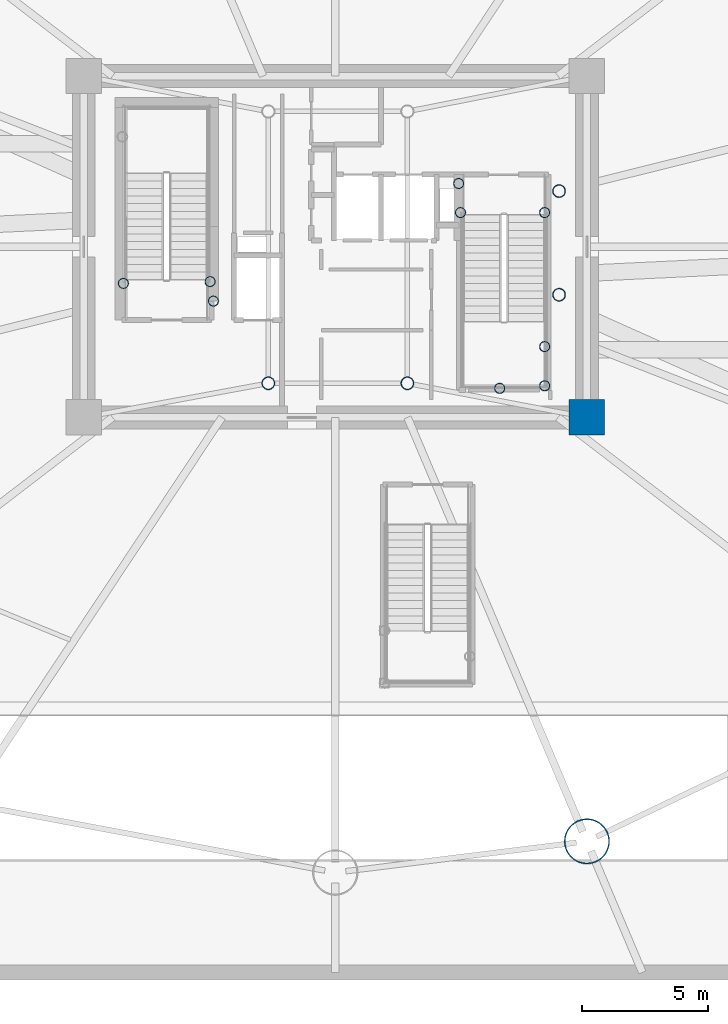
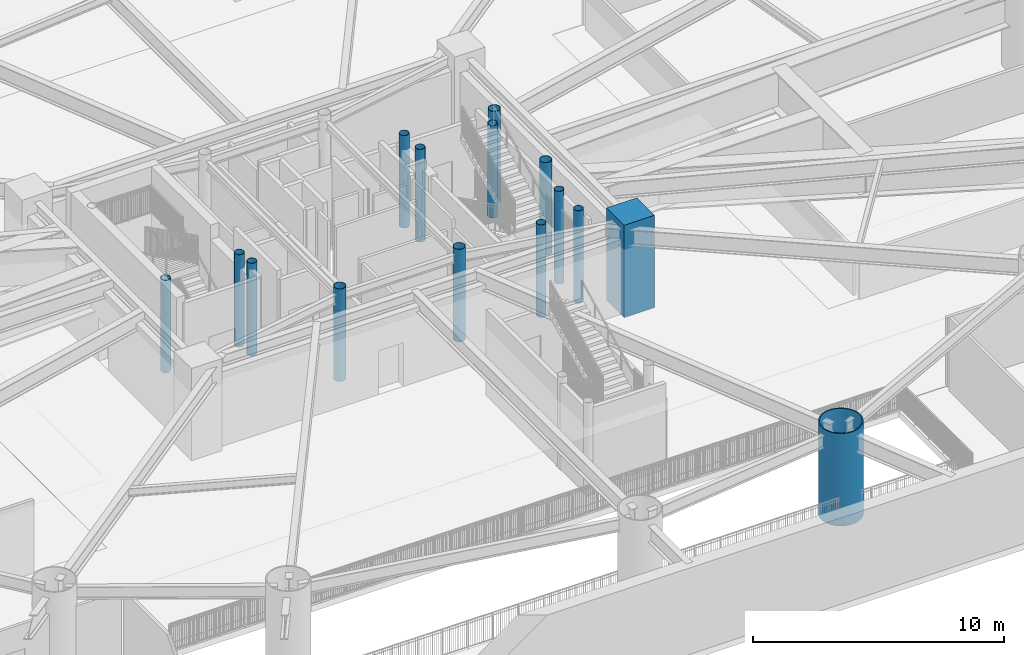
# One storey, part 2 of 21: 15 columns.
"""IFC4 building model written with IfcOpenShell, lengths in metres."""

from ifc_helpers import new_model, si_unit, direction, frame, origin, origin_2d, place, context, subcontext, project, spatial, rectangle, hollow_circle, extrude, material, material_profile, profile_set, type_object, element, save


model = new_model("IFC4")

# Units and contexts
model_context = context("Model", 3, precision=1e-05, world=origin(), true_north=direction((0.0, 1.0)))
body_context = subcontext(model_context, "Body", "Model", "MODEL_VIEW")
ifc_project = project(units=[si_unit("LENGTHUNIT", "METRE"), si_unit("AREAUNIT", "SQUARE_METRE"), si_unit("VOLUMEUNIT", "CUBIC_METRE"), si_unit("PLANEANGLEUNIT", "RADIAN"), si_unit("MASSUNIT", "GRAM", prefix="KILO")], contexts=[model_context])

# Site, building, storey
site_placement = place(None, origin())
site = spatial("IfcSite", under=ifc_project, at=site_placement, CompositionType="ELEMENT")
building_placement = place(site_placement, origin())
building = spatial("IfcBuilding", under=site, at=building_placement, Name="Linh Dai School and Residence Tower", CompositionType="ELEMENT")
storey_placement = place(building_placement, frame((0.0, 0.0, -4.5)))
storey = spatial("IfcBuildingStorey", under=building, at=storey_placement, Name="B01", CompositionType="ELEMENT", Elevation=-4.5)

# Columns
ifc_material_1 = material(Name="Concrete B60 (C50/60)", Category="concrete")
ifc_material_profile_1 = material_profile(ifc_material_1, rectangle(XDim=1.39990234375, YDim=1.39990234375, at=origin_2d()), Name="RC 1400x1400")
ifc_profile_set_1 = profile_set([ifc_material_profile_1], Name="Concrete B60 (C50/60)")
column_type_1 = type_object("IfcColumnType", Name="COL-CC1", PredefinedType="COLUMN", material=ifc_profile_set_1)
column_1_placement = place(storey_placement, frame((45.949951171875, 20.25, 0.0), z_axis=(0.0, 0.0, 1.0), x_axis=(1.0, 0.0, 0.0)))
element("IfcColumn", 1, at=column_1_placement, inside=storey, type_object=column_type_1, Name="B01 Core Corner Pier CC2", PredefinedType="COLUMN", context=body_context, shape_type="SweptSolid", body=[
    extrude(rectangle(XDim=1.39990234375, YDim=1.39990234375, at=origin_2d()), origin(), (0.0, 0.0, 1.0), 4.5),
])
ifc_material_2 = material(Name="Structural Steel S355JR", Category="steel")
ifc_material_profile_2 = material_profile(ifc_material_2, hollow_circle(Radius=0.203125, WallThickness=0.01611328125, at=origin_2d()), Name="CHS 406.4x16")
ifc_profile_set_2 = profile_set([ifc_material_profile_2], Name="Structural Steel S355JR")
column_type_2 = type_object("IfcColumnType", Name="COL-EC", PredefinedType="COLUMN", material=ifc_profile_set_2)
for number, where, z_axis, x_axis, name in (
    (2, (31.050048828125, 25.6201171875, 0.0), (0.0, 0.0, 1.0), (1.0, 0.0, 0.0), "B01 Stair Shaft Landing Support Pier ST1SE"),
    (3, (31.179931640625, 24.85009765625, 0.0), (0.0, 0.0, 1.0), (1.0, 0.0, 0.0), "B01 Stair Shaft Landing Support Pier ST1SM"),
    (4, (27.6201171875, 25.550048828125, 0.0), (0.0, 0.0, 1.0), (1.0, 0.0, 0.0), "B01 Stair Shaft Landing Support Pier ST1SW"),
    (5, (44.280029296875, 21.5, 0.0), (0.0, 0.0, 1.0), (1.0, 0.0, 0.0), "B01 Stair Shaft Landing Support Pier ST2SE"),
    (6, (44.280029296875, 23.050048828125, 0.0), (0.0, 0.0, 1.0), (1.0, 0.0, 0.0), "B01 Stair Shaft Landing Support Pier ST2NE"),
    (7, (42.5, 21.39990234375, 0.0), (0.0, 0.0, 1.0), (1.0, 0.0, 0.0), "B01 Stair Shaft Landing Support Pier ST2MS"),
    (8, (40.949951171875, 28.35009765625, 0.0), (0.0, 0.0, 1.0), (1.0, 0.0, 0.0), "B01 Stair Shaft Landing Support Pier ST2N1"),
    (9, (44.280029296875, 28.35009765625, 0.0), (0.0, 0.0, 1.0), (1.0, 0.0, 0.0), "B01 Stair Shaft Landing Support Pier ST2N2"),
    (10, (40.8798828125, 29.5, 0.0), (0.0, 0.0, 1.0), (1.0, 0.0, 0.0), "B01 Stair Shaft Landing Support Pier ST2N3"),
):
    element("IfcColumn", number, at=place(storey_placement, frame(where, z_axis=z_axis, x_axis=x_axis)), inside=storey, type_object=column_type_2, Name=name, PredefinedType="COLUMN", context=body_context, shape_type="SweptSolid", body=[
        extrude(hollow_circle(Radius=0.203125, WallThickness=0.01611328125, at=origin_2d()), origin(), (0.0, 0.0, 1.0), 4.5),
    ])
ifc_material_profile_3 = material_profile(ifc_material_2, hollow_circle(Radius=0.89990234375, WallThickness=0.050048828125, at=origin_2d()), Name="CHS 1800x50")
ifc_profile_set_3 = profile_set([ifc_material_profile_3], Name="Structural Steel S355JR")
column_type_3 = type_object("IfcColumnType", Name="COL-MC1", PredefinedType="COLUMN", material=ifc_profile_set_3)
column_2_placement = place(storey_placement, frame((45.951171875, 3.48388671875, 0.0), z_axis=(0.0, 0.0, 1.0), x_axis=(1.0, 0.0, 0.0)))
element("IfcColumn", 11, at=column_2_placement, inside=storey, type_object=column_type_3, Name="B01 Perimeter CFT Mega-Column MC14", PredefinedType="COLUMN", context=body_context, shape_type="SweptSolid", body=[
    extrude(hollow_circle(Radius=0.89990234375, WallThickness=0.050048828125, at=origin_2d()), origin(), (0.0, 0.0, 1.0), 4.5),
])
ifc_material_profile_4 = material_profile(ifc_material_2, hollow_circle(Radius=0.25390625, WallThickness=0.02001953125, at=origin_2d()), Name="CHS 508x20")
ifc_profile_set_4 = profile_set([ifc_material_profile_4], Name="Structural Steel S355JR")
column_type_4 = type_object("IfcColumnType", Name="COL-MCP", PredefinedType="COLUMN", material=ifc_profile_set_4)
for number, where, z_axis, x_axis, name in (
    (12, (33.35009765625, 21.60009765625, 0.0), (0.0, 0.0, 1.0), (1.0, 0.0, 0.0), "B01 Core Mast Support Pier MCP1"),
    (13, (38.85009765625, 21.60009765625, 0.0), (0.0, 0.0, 1.0), (1.0, 0.0, 0.0), "B01 Core Mast Support Pier MCP2"),
    (14, (44.85009765625, 25.10009765625, 0.0), (0.0, 0.0, 1.0), (1.0, 0.0, 0.0), "B01 Sky-Lounge Core Anchor Pier S"),
    (15, (44.85009765625, 29.199951171875, 0.0), (0.0, 0.0, 1.0), (1.0, 0.0, 0.0), "B01 Sky-Lounge Core Anchor Pier N"),
):
    element("IfcColumn", number, at=place(storey_placement, frame(where, z_axis=z_axis, x_axis=x_axis)), inside=storey, type_object=column_type_4, Name=name, PredefinedType="COLUMN", context=body_context, shape_type="SweptSolid", body=[
        extrude(hollow_circle(Radius=0.25390625, WallThickness=0.02001953125, at=origin_2d()), origin(), (0.0, 0.0, 1.0), 4.5),
    ])

save(model, "model.ifc")
